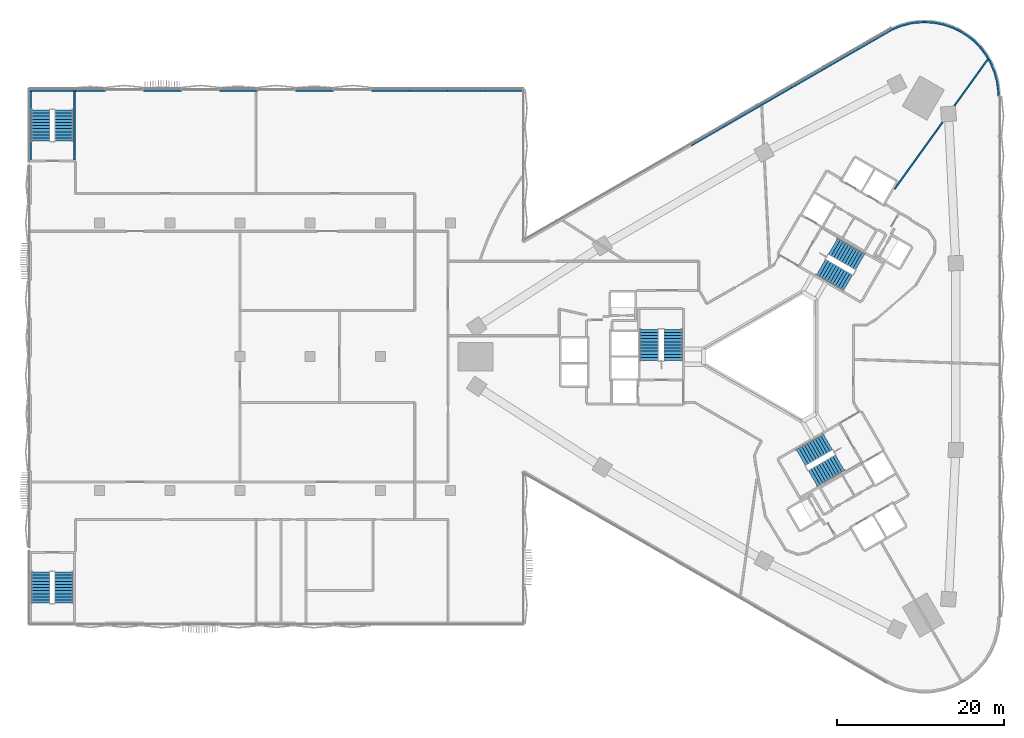
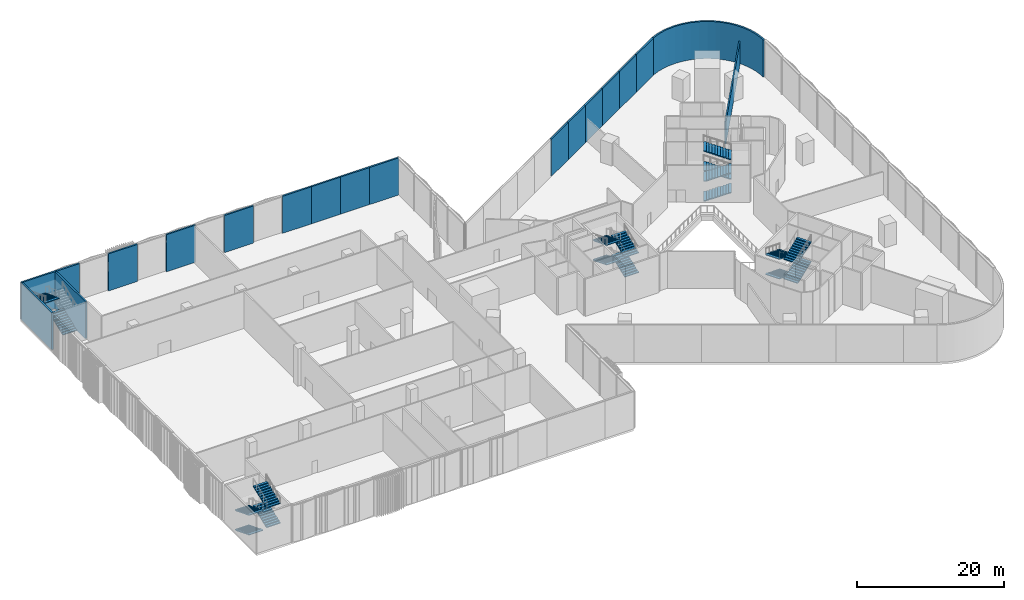
# One storey, part 18 of 32: 19 stair flights, 19 walls, 5 elements without a shape of their own.
"""IFC4 building model written with IfcOpenShell, lengths in metres."""

from ifc_helpers import new_model, si_unit, direction, frame, frame_2d, origin, place, context, subcontext, project, spatial, polyline, rectangle, outline, extrude, material, layer, layer_set, type_object, element, aggregate, save


model = new_model("IFC4")

# Units and contexts
model_context = context("Model", 3, precision=1e-05, world=origin(), true_north=direction((0.0, 1.0)))
body_context = subcontext(model_context, "Body", "Model", "MODEL_VIEW")
ifc_project = project(units=[si_unit("LENGTHUNIT", "METRE"), si_unit("AREAUNIT", "SQUARE_METRE"), si_unit("VOLUMEUNIT", "CUBIC_METRE"), si_unit("PLANEANGLEUNIT", "RADIAN"), si_unit("MASSUNIT", "GRAM", prefix="KILO")], contexts=[model_context])

# Site, building, storey
site_placement = place(None, origin())
site = spatial("IfcSite", under=ifc_project, at=site_placement, CompositionType="ELEMENT")
building_placement = place(site_placement, origin())
building = spatial("IfcBuilding", under=site, at=building_placement, Name="Tamra Quay Hotel Tower", CompositionType="ELEMENT")
storey_placement = place(building_placement, frame((0.0, 0.0, 7.5)))
storey = spatial("IfcBuildingStorey", under=building, at=storey_placement, Name="L01", CompositionType="ELEMENT", Elevation=7.5)

# Walls
ifc_material_1 = material(Name="Concrete M70", Category="concrete")
ifc_layer_1 = layer(ifc_material_1, 0.199951171875)
ifc_layer_set_1 = layer_set([ifc_layer_1], Name="Concrete M70 core wall 200")
wall_type_1 = type_object("IfcWallType", Name="Concrete M70 core wall 200", PredefinedType="SHEAR", material=ifc_layer_set_1)
wall_1_placement = place(storey_placement, frame((-89.10009765625, 31.875, 0.0), z_axis=(0.0, 0.0, 1.0), x_axis=(1.0, 0.0, 0.0)))
element("IfcWall", 1, at=wall_1_placement, inside=storey, type_object=wall_type_1, Name="CW2", PredefinedType="SHEAR", context=body_context, shape_type="SweptSolid", body=[
    extrude(rectangle(XDim=5.5, YDim=0.25, at=frame_2d((2.75, 0.0))), origin(), (0.0, 0.0, 1.0), 6.14990234375),
])
for number, where, z_axis, x_axis, name in (
    (2, (-88.97509765625, 23.550048828125, 0.0), (0.0, 0.0, 1.0), (0.0, 1.0, 0.0), "CW2"),
    (3, (-83.72509765625, 23.550048828125, 0.0), (0.0, 0.0, 1.0), (0.0, 1.0, 0.0), "CW2"),
):
    element("IfcWall", number, at=place(storey_placement, frame(where, z_axis=z_axis, x_axis=x_axis)), inside=storey, type_object=wall_type_1, Name=name, PredefinedType="SHEAR", context=body_context, shape_type="SweptSolid", body=[
        extrude(rectangle(XDim=8.199951171875, YDim=0.25, at=frame_2d((4.10009765625, 0.0))), origin(), (0.0, 0.0, 1.0), 6.14990234375),
    ])
ifc_material_2 = material(Name="Blockwork masonry plastered", Category="masonry")
ifc_layer_2 = layer(ifc_material_2, 0.25)
ifc_layer_set_2 = layer_set([ifc_layer_2], Name="EXTERNAL WALL 250")
wall_type_2 = type_object("IfcWallType", Name="EXTERNAL WALL 250", PredefinedType="SOLIDWALL", material=ifc_layer_set_2)
wall_2_placement = place(storey_placement, origin())
element("IfcWall", 4, at=wall_2_placement, inside=storey, type_object=wall_type_2, Name="EW1", PredefinedType="SOLIDWALL", context=body_context, shape_type="SweptSolid", body=[
    extrude(outline(polyline([(27.0, 31.177001953125), (26.980712890625, 31.765625), (26.8271484375, 32.9326171875), (26.5224609375, 34.06982421875), (26.07177734375, 35.157470703125), (25.483154296875, 36.177001953125), (24.7666015625, 37.111083984375), (23.93408203125, 37.943359375), (23.478759765625, 38.317138671875), (22.5, 38.97119140625), (21.444091796875, 39.491943359375), (20.329345703125, 39.870361328125), (19.1748046875, 40.099853515625), (18.0, 40.177001953125), (16.8251953125, 40.099853515625), (16.244140625, 40.00390625), (15.10693359375, 39.69921875), (14.019287109375, 39.248779296875), (14.114990234375, 39.017822265625), (15.1875, 39.462158203125), (16.297119140625, 39.75927734375), (16.853759765625, 39.851318359375), (18.0, 39.92626953125), (19.14208984375, 39.8515625), (20.2646484375, 39.628173828125), (21.348388671875, 39.26025390625), (22.374755859375, 38.754150390625), (23.329833984375, 38.115966796875), (23.76611328125, 37.758056640625), (24.578125, 36.94580078125), (25.27490234375, 36.037841796875), (25.84716796875, 35.046630859375), (26.28515625, 33.9892578125), (26.581298828125, 32.8837890625), (26.731201171875, 31.7451171875), (26.750244140625, 31.168701171875), (27.0, 31.177001953125)])), origin(), (0.0, 0.0, 1.0), 6.14990234375),
])
for number, where, z_axis, x_axis, name in (
    (5, (10.080078125, 36.83203125, 0.0), (0.0, 0.0, 1.0), (0.866216377649, 0.499669077583, 0.0), "EW1"),
    (6, (6.078369140625, 34.523681640625, 0.0), (0.0, 0.0, 1.0), (0.866216377649, 0.499669077583, 0.0), "EW1"),
    (7, (2.07666015625, 32.21533203125, 0.0), (0.0, 0.0, 1.0), (0.866216377649, 0.499669077583, 0.0), "EW1"),
    (8, (-1.92529296875, 29.906982421875, 0.0), (0.0, 0.0, 1.0), (0.866229571029, 0.499646205105, 0.0), "EW1"),
    (9, (-5.927001953125, 27.598388671875, 0.0), (0.0, 0.0, 1.0), (0.866193503994, 0.4997087288, 0.0), "EW1"),
    (10, (-9.9287109375, 25.2900390625, 0.0), (0.0, 0.0, 1.0), (0.866216377649, 0.499669077583, 0.0), "EW1"),
):
    element("IfcWall", number, at=place(storey_placement, frame(where, z_axis=z_axis, x_axis=x_axis)), inside=storey, type_object=wall_type_2, Name=name, PredefinedType="SOLIDWALL", context=body_context, shape_type="SweptSolid", body=[
        extrude(rectangle(XDim=4.619873046875, YDim=0.25, at=frame_2d((2.31005859375, 0.0))), origin(), (0.0, 0.0, 1.0), 6.14990234375),
    ])
for number, where, z_axis, x_axis, name in (
    (11, (-34.546142578125, 31.875, 0.0), (0.0, 0.0, 1.0), (1.0, 0.0, 0.0), "EW1"),
    (12, (-39.09228515625, 31.875, 0.0), (0.0, 0.0, 1.0), (1.0, 0.0, 0.0), "EW1"),
    (13, (-43.638427734375, 31.875, 0.0), (0.0, 0.0, 1.0), (1.0, 0.0, 0.0), "EW1"),
    (14, (-48.1845703125, 31.875, 0.0), (0.0, 0.0, 1.0), (1.0, 0.0, 0.0), "EW1"),
    (15, (-57.27685546875, 31.875, 0.0), (0.0, 0.0, 1.0), (1.0, 0.0, 0.0), "EW1"),
    (16, (-66.369140625, 31.875, 0.0), (0.0, 0.0, 1.0), (1.0, 0.0, 0.0), "EW1"),
    (17, (-75.46142578125, 31.875, 0.0), (0.0, 0.0, 1.0), (1.0, 0.0, 0.0), "EW1"),
):
    element("IfcWall", number, at=place(storey_placement, frame(where, z_axis=z_axis, x_axis=x_axis)), inside=storey, type_object=wall_type_2, Name=name, PredefinedType="SOLIDWALL", context=body_context, shape_type="SweptSolid", body=[
        extrude(rectangle(XDim=4.546142578125, YDim=0.25, at=frame_2d((2.27294921875, 0.0))), origin(), (0.0, 0.0, 1.0), 6.14990234375),
    ])
wall_3_placement = place(storey_placement, frame((-83.60009765625, 31.875, 0.0), z_axis=(0.0, 0.0, 1.0), x_axis=(1.0, 0.0, 0.0)))
element("IfcWall", 18, at=wall_3_placement, inside=storey, type_object=wall_type_2, Name="EW1", PredefinedType="SOLIDWALL", context=body_context, shape_type="SweptSolid", body=[
    extrude(rectangle(XDim=3.59228515625, YDim=0.25, at=frame_2d((1.796142578125, 0.0))), origin(), (0.0, 0.0, 1.0), 6.14990234375),
])
ifc_material_3 = material(Name="Partition party wall")
ifc_layer_3 = layer(ifc_material_3, 0.199951171875)
ifc_layer_set_3 = layer_set([ifc_layer_3], Name="Partition party wall")
wall_type_3 = type_object("IfcWallType", Name="Partition party wall", PredefinedType="PARTITIONING", material=ifc_layer_set_3)
wall_4_placement = place(storey_placement, frame((14.404541015625, 20.029296875, 0.0), z_axis=(0.0, 0.0, 1.0), x_axis=(0.583802556312, 0.811895667709, 0.0)))
element("IfcWall", 19, at=wall_4_placement, inside=storey, type_object=wall_type_3, Name="W-P", PredefinedType="PARTITIONING", context=body_context, shape_type="SweptSolid", body=[
    extrude(rectangle(XDim=19.394775390625, YDim=0.199951171875, at=frame_2d((9.697265625, 0.0))), origin(), (0.0, 0.0, 1.0), 3.75),
])

# Stair, stair flights
ifc_material_4 = material(Name="Exit stair 2200 44 risers 147.7 going 374")
stair_type = type_object("IfcStairType", Name="Exit stair 2200 44 risers 147.7 going 374", PredefinedType="HALF_TURN_STAIR", material=ifc_material_4)
stair_1_placement = place(storey_placement, origin())
stair_1 = element("IfcStair", 20, at=stair_1_placement, inside=storey, type_object=stair_type, Name="L01 Exit stair ST3", PredefinedType="HALF_TURN_STAIR")
ifc_material_5 = material(Name="Exit stair flight 2200 11 risers 147.7")
stair_flight_type = type_object("IfcStairFlightType", Name="Exit stair flight 2200 11 risers 147.7", PredefinedType="STRAIGHT", material=ifc_material_5)
stair_flight_1_placement = place(storey_placement, frame((-12.082275390625, -0.47998046875, 0.0), z_axis=(0.0, 0.0, 1.0), x_axis=(0.0, 1.0, 0.0)))
stair_flight_1 = element("IfcStairFlight", 21, at=stair_flight_1_placement, type_object=stair_flight_type, Name="ST3 flight 1", NumberOfRisers=11, NumberOfTreads=10, PredefinedType="STRAIGHT", RiserHeight=0.147727273, TreadLength=0.374, context=body_context, shape_type="SweptSolid", body=[
    extrude(outline(polyline([(0.0, 0.0), (0.0, 0.147705078125), (0.3740234375, 0.147705078125), (0.3740234375, 0.29541015625), (0.748046875, 0.29541015625), (0.748046875, 0.443115234375), (1.1220703125, 0.443115234375), (1.1220703125, 0.5908203125), (1.49609375, 0.5908203125), (1.49609375, 0.738525390625), (1.8701171875, 0.738525390625), (1.8701171875, 0.886474609375), (2.243896484375, 0.886474609375), (2.243896484375, 1.0341796875), (2.617919921875, 1.0341796875), (2.617919921875, 1.181884765625), (2.991943359375, 1.181884765625), (2.991943359375, 1.32958984375), (3.365966796875, 1.32958984375), (3.365966796875, 1.477294921875), (3.739990234375, 1.477294921875), (3.739990234375, 1.625), (3.739990234375, 1.36962890625), (0.2724609375, 0.0), (0.0, 0.0)])), frame((0.0, 1.10009765625, 0.0), z_axis=(0.0, -1.0, 0.0), x_axis=(1.0, 0.0, 0.0)), (0.0, 0.0, 1.0), 2.199951171875),
])
stair_flight_2_placement = place(storey_placement, frame((-14.94140625, 3.260009765625, 1.625), z_axis=(0.0, 0.0, 1.0), x_axis=(0.0, -1.0, 0.0)))
stair_flight_2 = element("IfcStairFlight", 22, at=stair_flight_2_placement, type_object=stair_flight_type, Name="ST3 flight 2", NumberOfRisers=11, NumberOfTreads=10, PredefinedType="STRAIGHT", RiserHeight=0.147727273, TreadLength=0.374, context=body_context, shape_type="SweptSolid", body=[
    extrude(outline(polyline([(0.0, 0.0), (0.0, 0.147705078125), (0.3740234375, 0.147705078125), (0.3740234375, 0.29541015625), (0.748046875, 0.29541015625), (0.748046875, 0.443115234375), (1.1220703125, 0.443115234375), (1.1220703125, 0.5908203125), (1.49609375, 0.5908203125), (1.49609375, 0.738525390625), (1.8701171875, 0.738525390625), (1.8701171875, 0.886474609375), (2.243896484375, 0.886474609375), (2.243896484375, 1.0341796875), (2.617919921875, 1.0341796875), (2.617919921875, 1.181884765625), (2.991943359375, 1.181884765625), (2.991943359375, 1.32958984375), (3.365966796875, 1.32958984375), (3.365966796875, 1.477294921875), (3.739990234375, 1.477294921875), (3.739990234375, 1.625), (3.739990234375, 1.36962890625), (0.2724609375, 0.0), (0.0, 0.0)])), frame((0.0, 1.10009765625, 0.0), z_axis=(0.0, -1.0, 0.0), x_axis=(1.0, 0.0, 0.0)), (0.0, 0.0, 1.0), 2.199951171875),
])
stair_flight_3_placement = place(storey_placement, frame((-12.082275390625, -0.47998046875, 3.25), z_axis=(0.0, 0.0, 1.0), x_axis=(0.0, 1.0, 0.0)))
stair_flight_3 = element("IfcStairFlight", 23, at=stair_flight_3_placement, type_object=stair_flight_type, Name="ST3 flight 3", NumberOfRisers=11, NumberOfTreads=10, PredefinedType="STRAIGHT", RiserHeight=0.147727273, TreadLength=0.374, context=body_context, shape_type="SweptSolid", body=[
    extrude(outline(polyline([(0.0, 0.0), (0.0, 0.147705078125), (0.3740234375, 0.147705078125), (0.3740234375, 0.29541015625), (0.748046875, 0.29541015625), (0.748046875, 0.443115234375), (1.1220703125, 0.443115234375), (1.1220703125, 0.5908203125), (1.49609375, 0.5908203125), (1.49609375, 0.738525390625), (1.8701171875, 0.738525390625), (1.8701171875, 0.886474609375), (2.243896484375, 0.886474609375), (2.243896484375, 1.0341796875), (2.617919921875, 1.0341796875), (2.617919921875, 1.181884765625), (2.991943359375, 1.181884765625), (2.991943359375, 1.32958984375), (3.365966796875, 1.32958984375), (3.365966796875, 1.477294921875), (3.739990234375, 1.477294921875), (3.739990234375, 1.625), (3.739990234375, 1.36962890625), (0.2724609375, 0.0), (0.0, 0.0)])), frame((0.0, 1.10009765625, 0.0), z_axis=(0.0, -1.0, 0.0), x_axis=(1.0, 0.0, 0.0)), (0.0, 0.0, 1.0), 2.199951171875),
])
stair_flight_4_placement = place(storey_placement, frame((-14.94140625, 3.260009765625, 4.875), z_axis=(0.0, 0.0, 1.0), x_axis=(0.0, -1.0, 0.0)))
stair_flight_4 = element("IfcStairFlight", 24, at=stair_flight_4_placement, type_object=stair_flight_type, Name="ST3 flight 4", NumberOfRisers=11, NumberOfTreads=10, PredefinedType="STRAIGHT", RiserHeight=0.147727273, TreadLength=0.374, context=body_context, shape_type="SweptSolid", body=[
    extrude(outline(polyline([(0.0, 0.0), (0.0, 0.147705078125), (0.3740234375, 0.147705078125), (0.3740234375, 0.29541015625), (0.748046875, 0.29541015625), (0.748046875, 0.443115234375), (1.1220703125, 0.443115234375), (1.1220703125, 0.5908203125), (1.49609375, 0.5908203125), (1.49609375, 0.738525390625), (1.8701171875, 0.738525390625), (1.8701171875, 0.886474609375), (2.243896484375, 0.886474609375), (2.243896484375, 1.0341796875), (2.617919921875, 1.0341796875), (2.617919921875, 1.181884765625), (2.991943359375, 1.181884765625), (2.991943359375, 1.32958984375), (3.365966796875, 1.32958984375), (3.365966796875, 1.477294921875), (3.739990234375, 1.477294921875), (3.739990234375, 1.625), (3.739990234375, 1.36962890625), (0.2724609375, 0.0), (0.0, 0.0)])), frame((0.0, 1.10009765625, 0.0), z_axis=(0.0, -1.0, 0.0), x_axis=(1.0, 0.0, 0.0)), (0.0, 0.0, 1.0), 2.199951171875),
])
aggregate(stair_1, [stair_flight_1, stair_flight_2, stair_flight_3, stair_flight_4])

stair_2_placement = place(storey_placement, origin())
stair_2 = element("IfcStair", 25, at=stair_2_placement, inside=storey, type_object=stair_type, Name="L01 Exit stair ST1", PredefinedType="HALF_TURN_STAIR")
stair_flight_5_placement = place(storey_placement, frame((5.625244140625, 10.70361328125, 0.0), z_axis=(0.0, 0.0, 1.0), x_axis=(0.866025403784, -0.5, 0.0)))
stair_flight_5 = element("IfcStairFlight", 26, at=stair_flight_5_placement, type_object=stair_flight_type, Name="ST1 flight 1", NumberOfRisers=11, NumberOfTreads=10, PredefinedType="STRAIGHT", RiserHeight=0.147727273, TreadLength=0.374, context=body_context, shape_type="SweptSolid", body=[
    extrude(outline(polyline([(0.0, 0.0), (0.0, 0.147705078125), (0.3740234375, 0.147705078125), (0.3740234375, 0.29541015625), (0.748046875, 0.29541015625), (0.748046875, 0.443115234375), (1.1220703125, 0.443115234375), (1.1220703125, 0.5908203125), (1.49609375, 0.5908203125), (1.49609375, 0.738525390625), (1.8701171875, 0.738525390625), (1.8701171875, 0.886474609375), (2.243896484375, 0.886474609375), (2.243896484375, 1.0341796875), (2.617919921875, 1.0341796875), (2.617919921875, 1.181884765625), (2.991943359375, 1.181884765625), (2.991943359375, 1.32958984375), (3.365966796875, 1.32958984375), (3.365966796875, 1.477294921875), (3.739990234375, 1.477294921875), (3.739990234375, 1.625), (3.739990234375, 1.36962890625), (0.2724609375, 0.0), (0.0, 0.0)])), frame((0.0, 1.10009765625, 0.0), z_axis=(0.0, -1.0, 0.0), x_axis=(1.0, 0.0, 0.0)), (0.0, 0.0, 1.0), 2.199951171875),
])
stair_flight_6_placement = place(storey_placement, frame((10.293701171875, 11.3095703125, 1.625), z_axis=(0.0, 0.0, 1.0), x_axis=(-0.866025403784, 0.5, 0.0)))
stair_flight_6 = element("IfcStairFlight", 27, at=stair_flight_6_placement, type_object=stair_flight_type, Name="ST1 flight 2", NumberOfRisers=11, NumberOfTreads=10, PredefinedType="STRAIGHT", RiserHeight=0.147727273, TreadLength=0.374, context=body_context, shape_type="SweptSolid", body=[
    extrude(outline(polyline([(0.0, 0.0), (0.0, 0.147705078125), (0.3740234375, 0.147705078125), (0.3740234375, 0.29541015625), (0.748046875, 0.29541015625), (0.748046875, 0.443115234375), (1.1220703125, 0.443115234375), (1.1220703125, 0.5908203125), (1.49609375, 0.5908203125), (1.49609375, 0.738525390625), (1.8701171875, 0.738525390625), (1.8701171875, 0.886474609375), (2.243896484375, 0.886474609375), (2.243896484375, 1.0341796875), (2.617919921875, 1.0341796875), (2.617919921875, 1.181884765625), (2.991943359375, 1.181884765625), (2.991943359375, 1.32958984375), (3.365966796875, 1.32958984375), (3.365966796875, 1.477294921875), (3.739990234375, 1.477294921875), (3.739990234375, 1.625), (3.739990234375, 1.36962890625), (0.2724609375, 0.0), (0.0, 0.0)])), frame((0.0, 1.10009765625, 0.0), z_axis=(0.0, -1.0, 0.0), x_axis=(1.0, 0.0, 0.0)), (0.0, 0.0, 1.0), 2.199951171875),
])
stair_flight_7_placement = place(storey_placement, frame((5.625244140625, 10.70361328125, 3.25), z_axis=(0.0, 0.0, 1.0), x_axis=(0.866025403784, -0.5, 0.0)))
stair_flight_7 = element("IfcStairFlight", 28, at=stair_flight_7_placement, type_object=stair_flight_type, Name="ST1 flight 3", NumberOfRisers=11, NumberOfTreads=10, PredefinedType="STRAIGHT", RiserHeight=0.147727273, TreadLength=0.374, context=body_context, shape_type="SweptSolid", body=[
    extrude(outline(polyline([(0.0, 0.0), (0.0, 0.147705078125), (0.3740234375, 0.147705078125), (0.3740234375, 0.29541015625), (0.748046875, 0.29541015625), (0.748046875, 0.443115234375), (1.1220703125, 0.443115234375), (1.1220703125, 0.5908203125), (1.49609375, 0.5908203125), (1.49609375, 0.738525390625), (1.8701171875, 0.738525390625), (1.8701171875, 0.886474609375), (2.243896484375, 0.886474609375), (2.243896484375, 1.0341796875), (2.617919921875, 1.0341796875), (2.617919921875, 1.181884765625), (2.991943359375, 1.181884765625), (2.991943359375, 1.32958984375), (3.365966796875, 1.32958984375), (3.365966796875, 1.477294921875), (3.739990234375, 1.477294921875), (3.739990234375, 1.625), (3.739990234375, 1.36962890625), (0.2724609375, 0.0), (0.0, 0.0)])), frame((0.0, 1.10009765625, 0.0), z_axis=(0.0, -1.0, 0.0), x_axis=(1.0, 0.0, 0.0)), (0.0, 0.0, 1.0), 2.199951171875),
])
stair_flight_8_placement = place(storey_placement, frame((10.293701171875, 11.3095703125, 4.875), z_axis=(0.0, 0.0, 1.0), x_axis=(-0.866025403784, 0.5, 0.0)))
stair_flight_8 = element("IfcStairFlight", 29, at=stair_flight_8_placement, type_object=stair_flight_type, Name="ST1 flight 4", NumberOfRisers=11, NumberOfTreads=10, PredefinedType="STRAIGHT", RiserHeight=0.147727273, TreadLength=0.374, context=body_context, shape_type="SweptSolid", body=[
    extrude(outline(polyline([(0.0, 0.0), (0.0, 0.147705078125), (0.3740234375, 0.147705078125), (0.3740234375, 0.29541015625), (0.748046875, 0.29541015625), (0.748046875, 0.443115234375), (1.1220703125, 0.443115234375), (1.1220703125, 0.5908203125), (1.49609375, 0.5908203125), (1.49609375, 0.738525390625), (1.8701171875, 0.738525390625), (1.8701171875, 0.886474609375), (2.243896484375, 0.886474609375), (2.243896484375, 1.0341796875), (2.617919921875, 1.0341796875), (2.617919921875, 1.181884765625), (2.991943359375, 1.181884765625), (2.991943359375, 1.32958984375), (3.365966796875, 1.32958984375), (3.365966796875, 1.477294921875), (3.739990234375, 1.477294921875), (3.739990234375, 1.625), (3.739990234375, 1.36962890625), (0.2724609375, 0.0), (0.0, 0.0)])), frame((0.0, 1.10009765625, 0.0), z_axis=(0.0, -1.0, 0.0), x_axis=(1.0, 0.0, 0.0)), (0.0, 0.0, 1.0), 2.199951171875),
])
aggregate(stair_2, [stair_flight_5, stair_flight_6, stair_flight_7, stair_flight_8])

stair_3_placement = place(storey_placement, origin())
stair_3 = element("IfcStair", 30, at=stair_3_placement, inside=storey, type_object=stair_type, Name="L01 Exit stair ST2", PredefinedType="HALF_TURN_STAIR")
stair_flight_9_placement = place(storey_placement, frame((6.45703125, -10.2236328125, 0.0), z_axis=(0.0, 0.0, 1.0), x_axis=(-0.866025403784, -0.5, 0.0)))
stair_flight_9 = element("IfcStairFlight", 31, at=stair_flight_9_placement, type_object=stair_flight_type, Name="ST2 flight 1", NumberOfRisers=11, NumberOfTreads=10, PredefinedType="STRAIGHT", RiserHeight=0.147727273, TreadLength=0.374, context=body_context, shape_type="SweptSolid", body=[
    extrude(outline(polyline([(0.0, 0.0), (0.0, 0.147705078125), (0.3740234375, 0.147705078125), (0.3740234375, 0.29541015625), (0.748046875, 0.29541015625), (0.748046875, 0.443115234375), (1.1220703125, 0.443115234375), (1.1220703125, 0.5908203125), (1.49609375, 0.5908203125), (1.49609375, 0.738525390625), (1.8701171875, 0.738525390625), (1.8701171875, 0.886474609375), (2.243896484375, 0.886474609375), (2.243896484375, 1.0341796875), (2.617919921875, 1.0341796875), (2.617919921875, 1.181884765625), (2.991943359375, 1.181884765625), (2.991943359375, 1.32958984375), (3.365966796875, 1.32958984375), (3.365966796875, 1.477294921875), (3.739990234375, 1.477294921875), (3.739990234375, 1.625), (3.739990234375, 1.36962890625), (0.2724609375, 0.0), (0.0, 0.0)])), frame((0.0, 1.10009765625, 0.0), z_axis=(0.0, -1.0, 0.0), x_axis=(1.0, 0.0, 0.0)), (0.0, 0.0, 1.0), 2.199951171875),
])
stair_flight_10_placement = place(storey_placement, frame((4.6474609375, -14.569580078125, 1.625), z_axis=(0.0, 0.0, 1.0), x_axis=(0.866025403784, 0.5, 0.0)))
stair_flight_10 = element("IfcStairFlight", 32, at=stair_flight_10_placement, type_object=stair_flight_type, Name="ST2 flight 2", NumberOfRisers=11, NumberOfTreads=10, PredefinedType="STRAIGHT", RiserHeight=0.147727273, TreadLength=0.374, context=body_context, shape_type="SweptSolid", body=[
    extrude(outline(polyline([(0.0, 0.0), (0.0, 0.147705078125), (0.3740234375, 0.147705078125), (0.3740234375, 0.29541015625), (0.748046875, 0.29541015625), (0.748046875, 0.443115234375), (1.1220703125, 0.443115234375), (1.1220703125, 0.5908203125), (1.49609375, 0.5908203125), (1.49609375, 0.738525390625), (1.8701171875, 0.738525390625), (1.8701171875, 0.886474609375), (2.243896484375, 0.886474609375), (2.243896484375, 1.0341796875), (2.617919921875, 1.0341796875), (2.617919921875, 1.181884765625), (2.991943359375, 1.181884765625), (2.991943359375, 1.32958984375), (3.365966796875, 1.32958984375), (3.365966796875, 1.477294921875), (3.739990234375, 1.477294921875), (3.739990234375, 1.625), (3.739990234375, 1.36962890625), (0.2724609375, 0.0), (0.0, 0.0)])), frame((0.0, 1.10009765625, 0.0), z_axis=(0.0, -1.0, 0.0), x_axis=(1.0, 0.0, 0.0)), (0.0, 0.0, 1.0), 2.199951171875),
])
stair_flight_11_placement = place(storey_placement, frame((6.45703125, -10.2236328125, 3.25), z_axis=(0.0, 0.0, 1.0), x_axis=(-0.866025403784, -0.5, 0.0)))
stair_flight_11 = element("IfcStairFlight", 33, at=stair_flight_11_placement, type_object=stair_flight_type, Name="ST2 flight 3", NumberOfRisers=11, NumberOfTreads=10, PredefinedType="STRAIGHT", RiserHeight=0.147727273, TreadLength=0.374, context=body_context, shape_type="SweptSolid", body=[
    extrude(outline(polyline([(0.0, 0.0), (0.0, 0.147705078125), (0.3740234375, 0.147705078125), (0.3740234375, 0.29541015625), (0.748046875, 0.29541015625), (0.748046875, 0.443115234375), (1.1220703125, 0.443115234375), (1.1220703125, 0.5908203125), (1.49609375, 0.5908203125), (1.49609375, 0.738525390625), (1.8701171875, 0.738525390625), (1.8701171875, 0.886474609375), (2.243896484375, 0.886474609375), (2.243896484375, 1.0341796875), (2.617919921875, 1.0341796875), (2.617919921875, 1.181884765625), (2.991943359375, 1.181884765625), (2.991943359375, 1.32958984375), (3.365966796875, 1.32958984375), (3.365966796875, 1.477294921875), (3.739990234375, 1.477294921875), (3.739990234375, 1.625), (3.739990234375, 1.36962890625), (0.2724609375, 0.0), (0.0, 0.0)])), frame((0.0, 1.10009765625, 0.0), z_axis=(0.0, -1.0, 0.0), x_axis=(1.0, 0.0, 0.0)), (0.0, 0.0, 1.0), 2.199951171875),
])
stair_flight_12_placement = place(storey_placement, frame((4.6474609375, -14.569580078125, 4.875), z_axis=(0.0, 0.0, 1.0), x_axis=(0.866025403784, 0.5, 0.0)))
stair_flight_12 = element("IfcStairFlight", 34, at=stair_flight_12_placement, type_object=stair_flight_type, Name="ST2 flight 4", NumberOfRisers=11, NumberOfTreads=10, PredefinedType="STRAIGHT", RiserHeight=0.147727273, TreadLength=0.374, context=body_context, shape_type="SweptSolid", body=[
    extrude(outline(polyline([(0.0, 0.0), (0.0, 0.147705078125), (0.3740234375, 0.147705078125), (0.3740234375, 0.29541015625), (0.748046875, 0.29541015625), (0.748046875, 0.443115234375), (1.1220703125, 0.443115234375), (1.1220703125, 0.5908203125), (1.49609375, 0.5908203125), (1.49609375, 0.738525390625), (1.8701171875, 0.738525390625), (1.8701171875, 0.886474609375), (2.243896484375, 0.886474609375), (2.243896484375, 1.0341796875), (2.617919921875, 1.0341796875), (2.617919921875, 1.181884765625), (2.991943359375, 1.181884765625), (2.991943359375, 1.32958984375), (3.365966796875, 1.32958984375), (3.365966796875, 1.477294921875), (3.739990234375, 1.477294921875), (3.739990234375, 1.625), (3.739990234375, 1.36962890625), (0.2724609375, 0.0), (0.0, 0.0)])), frame((0.0, 1.10009765625, 0.0), z_axis=(0.0, -1.0, 0.0), x_axis=(1.0, 0.0, 0.0)), (0.0, 0.0, 1.0), 2.199951171875),
])
aggregate(stair_3, [stair_flight_9, stair_flight_10, stair_flight_11, stair_flight_12])

stair_4_placement = place(storey_placement, origin())
stair_4 = element("IfcStair", 35, at=stair_4_placement, inside=storey, type_object=stair_type, Name="L01 Exit stair PS1", PredefinedType="HALF_TURN_STAIR")
stair_flight_13_placement = place(storey_placement, frame((-84.969970703125, 25.77001953125, 0.0), z_axis=(0.0, 0.0, 1.0), x_axis=(0.0, 1.0, 0.0)))
stair_flight_13 = element("IfcStairFlight", 36, at=stair_flight_13_placement, type_object=stair_flight_type, Name="PS1 flight 1", NumberOfRisers=11, NumberOfTreads=10, PredefinedType="STRAIGHT", RiserHeight=0.147727273, TreadLength=0.374, context=body_context, shape_type="SweptSolid", body=[
    extrude(outline(polyline([(0.0, 0.0), (0.0, 0.147705078125), (0.3740234375, 0.147705078125), (0.3740234375, 0.29541015625), (0.748046875, 0.29541015625), (0.748046875, 0.443115234375), (1.1220703125, 0.443115234375), (1.1220703125, 0.5908203125), (1.49609375, 0.5908203125), (1.49609375, 0.738525390625), (1.8701171875, 0.738525390625), (1.8701171875, 0.886474609375), (2.243896484375, 0.886474609375), (2.243896484375, 1.0341796875), (2.617919921875, 1.0341796875), (2.617919921875, 1.181884765625), (2.991943359375, 1.181884765625), (2.991943359375, 1.32958984375), (3.365966796875, 1.32958984375), (3.365966796875, 1.477294921875), (3.739990234375, 1.477294921875), (3.739990234375, 1.625), (3.739990234375, 1.36962890625), (0.2724609375, 0.0), (0.0, 0.0)])), frame((0.0, 1.10009765625, 0.0), z_axis=(0.0, -1.0, 0.0), x_axis=(1.0, 0.0, 0.0)), (0.0, 0.0, 1.0), 2.199951171875),
])
stair_flight_14_placement = place(storey_placement, frame((-87.72998046875, 29.510009765625, 1.625), z_axis=(0.0, 0.0, 1.0), x_axis=(0.0, -1.0, 0.0)))
stair_flight_14 = element("IfcStairFlight", 37, at=stair_flight_14_placement, type_object=stair_flight_type, Name="PS1 flight 2", NumberOfRisers=11, NumberOfTreads=10, PredefinedType="STRAIGHT", RiserHeight=0.147727273, TreadLength=0.374, context=body_context, shape_type="SweptSolid", body=[
    extrude(outline(polyline([(0.0, 0.0), (0.0, 0.147705078125), (0.3740234375, 0.147705078125), (0.3740234375, 0.29541015625), (0.748046875, 0.29541015625), (0.748046875, 0.443115234375), (1.1220703125, 0.443115234375), (1.1220703125, 0.5908203125), (1.49609375, 0.5908203125), (1.49609375, 0.738525390625), (1.8701171875, 0.738525390625), (1.8701171875, 0.886474609375), (2.243896484375, 0.886474609375), (2.243896484375, 1.0341796875), (2.617919921875, 1.0341796875), (2.617919921875, 1.181884765625), (2.991943359375, 1.181884765625), (2.991943359375, 1.32958984375), (3.365966796875, 1.32958984375), (3.365966796875, 1.477294921875), (3.739990234375, 1.477294921875), (3.739990234375, 1.625), (3.739990234375, 1.36962890625), (0.2724609375, 0.0), (0.0, 0.0)])), frame((0.0, 1.10009765625, 0.0), z_axis=(0.0, -1.0, 0.0), x_axis=(1.0, 0.0, 0.0)), (0.0, 0.0, 1.0), 2.199951171875),
])
stair_flight_15_placement = place(storey_placement, frame((-87.72998046875, 29.510009765625, 4.875), z_axis=(0.0, 0.0, 1.0), x_axis=(0.0, -1.0, 0.0)))
stair_flight_15 = element("IfcStairFlight", 38, at=stair_flight_15_placement, type_object=stair_flight_type, Name="PS1 flight 4", NumberOfRisers=11, NumberOfTreads=10, PredefinedType="STRAIGHT", RiserHeight=0.147727273, TreadLength=0.374, context=body_context, shape_type="SweptSolid", body=[
    extrude(outline(polyline([(0.0, 0.0), (0.0, 0.147705078125), (0.3740234375, 0.147705078125), (0.3740234375, 0.29541015625), (0.748046875, 0.29541015625), (0.748046875, 0.443115234375), (1.1220703125, 0.443115234375), (1.1220703125, 0.5908203125), (1.49609375, 0.5908203125), (1.49609375, 0.738525390625), (1.8701171875, 0.738525390625), (1.8701171875, 0.886474609375), (2.243896484375, 0.886474609375), (2.243896484375, 1.0341796875), (2.617919921875, 1.0341796875), (2.617919921875, 1.181884765625), (2.991943359375, 1.181884765625), (2.991943359375, 1.32958984375), (3.365966796875, 1.32958984375), (3.365966796875, 1.477294921875), (3.739990234375, 1.477294921875), (3.739990234375, 1.625), (3.739990234375, 1.36962890625), (0.2724609375, 0.0), (0.0, 0.0)])), frame((0.0, 1.10009765625, 0.0), z_axis=(0.0, -1.0, 0.0), x_axis=(1.0, 0.0, 0.0)), (0.0, 0.0, 1.0), 2.199951171875),
])
aggregate(stair_4, [stair_flight_13, stair_flight_14, stair_flight_15])

stair_5_placement = place(storey_placement, origin())
stair_5 = element("IfcStair", 39, at=stair_5_placement, inside=storey, type_object=stair_type, Name="L01 Exit stair PS2", PredefinedType="HALF_TURN_STAIR")
stair_flight_16_placement = place(storey_placement, frame((-87.72998046875, -25.77001953125, 0.0), z_axis=(0.0, 0.0, 1.0), x_axis=(0.0, -1.0, 0.0)))
stair_flight_16 = element("IfcStairFlight", 40, at=stair_flight_16_placement, type_object=stair_flight_type, Name="PS2 flight 1", NumberOfRisers=11, NumberOfTreads=10, PredefinedType="STRAIGHT", RiserHeight=0.147727273, TreadLength=0.374, context=body_context, shape_type="SweptSolid", body=[
    extrude(outline(polyline([(0.0, 0.0), (0.0, 0.147705078125), (0.3740234375, 0.147705078125), (0.3740234375, 0.29541015625), (0.748046875, 0.29541015625), (0.748046875, 0.443115234375), (1.1220703125, 0.443115234375), (1.1220703125, 0.5908203125), (1.49609375, 0.5908203125), (1.49609375, 0.738525390625), (1.8701171875, 0.738525390625), (1.8701171875, 0.886474609375), (2.243896484375, 0.886474609375), (2.243896484375, 1.0341796875), (2.617919921875, 1.0341796875), (2.617919921875, 1.181884765625), (2.991943359375, 1.181884765625), (2.991943359375, 1.32958984375), (3.365966796875, 1.32958984375), (3.365966796875, 1.477294921875), (3.739990234375, 1.477294921875), (3.739990234375, 1.625), (3.739990234375, 1.36962890625), (0.2724609375, 0.0), (0.0, 0.0)])), frame((0.0, 1.10009765625, 0.0), z_axis=(0.0, -1.0, 0.0), x_axis=(1.0, 0.0, 0.0)), (0.0, 0.0, 1.0), 2.199951171875),
])
stair_flight_17_placement = place(storey_placement, frame((-84.969970703125, -29.510009765625, 1.625), z_axis=(0.0, 0.0, 1.0), x_axis=(0.0, 1.0, 0.0)))
stair_flight_17 = element("IfcStairFlight", 41, at=stair_flight_17_placement, type_object=stair_flight_type, Name="PS2 flight 2", NumberOfRisers=11, NumberOfTreads=10, PredefinedType="STRAIGHT", RiserHeight=0.147727273, TreadLength=0.374, context=body_context, shape_type="SweptSolid", body=[
    extrude(outline(polyline([(0.0, 0.0), (0.0, 0.147705078125), (0.3740234375, 0.147705078125), (0.3740234375, 0.29541015625), (0.748046875, 0.29541015625), (0.748046875, 0.443115234375), (1.1220703125, 0.443115234375), (1.1220703125, 0.5908203125), (1.49609375, 0.5908203125), (1.49609375, 0.738525390625), (1.8701171875, 0.738525390625), (1.8701171875, 0.886474609375), (2.243896484375, 0.886474609375), (2.243896484375, 1.0341796875), (2.617919921875, 1.0341796875), (2.617919921875, 1.181884765625), (2.991943359375, 1.181884765625), (2.991943359375, 1.32958984375), (3.365966796875, 1.32958984375), (3.365966796875, 1.477294921875), (3.739990234375, 1.477294921875), (3.739990234375, 1.625), (3.739990234375, 1.36962890625), (0.2724609375, 0.0), (0.0, 0.0)])), frame((0.0, 1.10009765625, 0.0), z_axis=(0.0, -1.0, 0.0), x_axis=(1.0, 0.0, 0.0)), (0.0, 0.0, 1.0), 2.199951171875),
])
stair_flight_18_placement = place(storey_placement, frame((-87.72998046875, -25.77001953125, 3.25), z_axis=(0.0, 0.0, 1.0), x_axis=(0.0, -1.0, 0.0)))
stair_flight_18 = element("IfcStairFlight", 42, at=stair_flight_18_placement, type_object=stair_flight_type, Name="PS2 flight 3", NumberOfRisers=11, NumberOfTreads=10, PredefinedType="STRAIGHT", RiserHeight=0.147727273, TreadLength=0.374, context=body_context, shape_type="SweptSolid", body=[
    extrude(outline(polyline([(0.0, 0.0), (0.0, 0.147705078125), (0.3740234375, 0.147705078125), (0.3740234375, 0.29541015625), (0.748046875, 0.29541015625), (0.748046875, 0.443115234375), (1.1220703125, 0.443115234375), (1.1220703125, 0.5908203125), (1.49609375, 0.5908203125), (1.49609375, 0.738525390625), (1.8701171875, 0.738525390625), (1.8701171875, 0.886474609375), (2.243896484375, 0.886474609375), (2.243896484375, 1.0341796875), (2.617919921875, 1.0341796875), (2.617919921875, 1.181884765625), (2.991943359375, 1.181884765625), (2.991943359375, 1.32958984375), (3.365966796875, 1.32958984375), (3.365966796875, 1.477294921875), (3.739990234375, 1.477294921875), (3.739990234375, 1.625), (3.739990234375, 1.36962890625), (0.2724609375, 0.0), (0.0, 0.0)])), frame((0.0, 1.10009765625, 0.0), z_axis=(0.0, -1.0, 0.0), x_axis=(1.0, 0.0, 0.0)), (0.0, 0.0, 1.0), 2.199951171875),
])
stair_flight_19_placement = place(storey_placement, frame((-84.969970703125, -29.510009765625, 4.875), z_axis=(0.0, 0.0, 1.0), x_axis=(0.0, 1.0, 0.0)))
stair_flight_19 = element("IfcStairFlight", 43, at=stair_flight_19_placement, type_object=stair_flight_type, Name="PS2 flight 4", NumberOfRisers=11, NumberOfTreads=10, PredefinedType="STRAIGHT", RiserHeight=0.147727273, TreadLength=0.374, context=body_context, shape_type="SweptSolid", body=[
    extrude(outline(polyline([(0.0, 0.0), (0.0, 0.147705078125), (0.3740234375, 0.147705078125), (0.3740234375, 0.29541015625), (0.748046875, 0.29541015625), (0.748046875, 0.443115234375), (1.1220703125, 0.443115234375), (1.1220703125, 0.5908203125), (1.49609375, 0.5908203125), (1.49609375, 0.738525390625), (1.8701171875, 0.738525390625), (1.8701171875, 0.886474609375), (2.243896484375, 0.886474609375), (2.243896484375, 1.0341796875), (2.617919921875, 1.0341796875), (2.617919921875, 1.181884765625), (2.991943359375, 1.181884765625), (2.991943359375, 1.32958984375), (3.365966796875, 1.32958984375), (3.365966796875, 1.477294921875), (3.739990234375, 1.477294921875), (3.739990234375, 1.625), (3.739990234375, 1.36962890625), (0.2724609375, 0.0), (0.0, 0.0)])), frame((0.0, 1.10009765625, 0.0), z_axis=(0.0, -1.0, 0.0), x_axis=(1.0, 0.0, 0.0)), (0.0, 0.0, 1.0), 2.199951171875),
])
aggregate(stair_5, [stair_flight_16, stair_flight_17, stair_flight_18, stair_flight_19])

save(model, "model.ifc")
